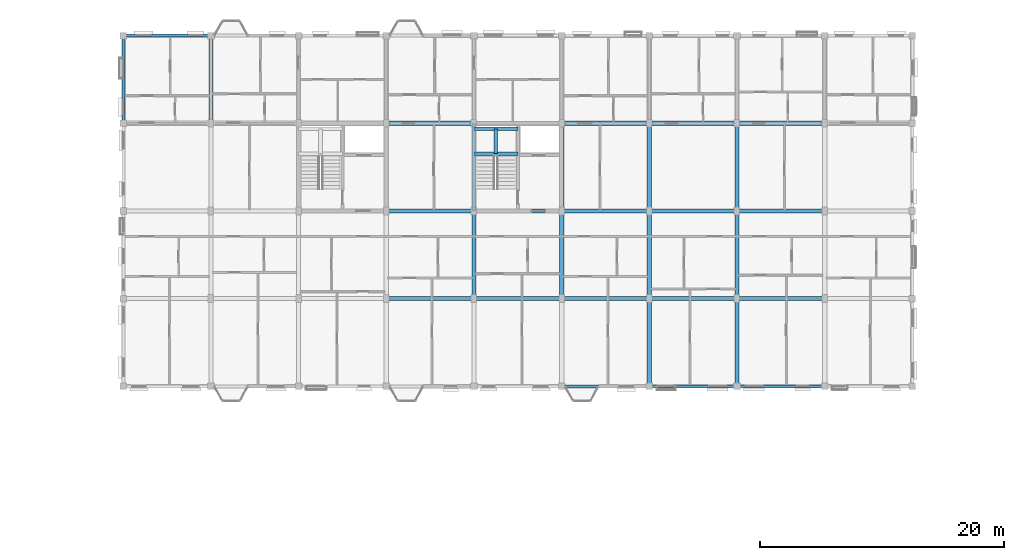
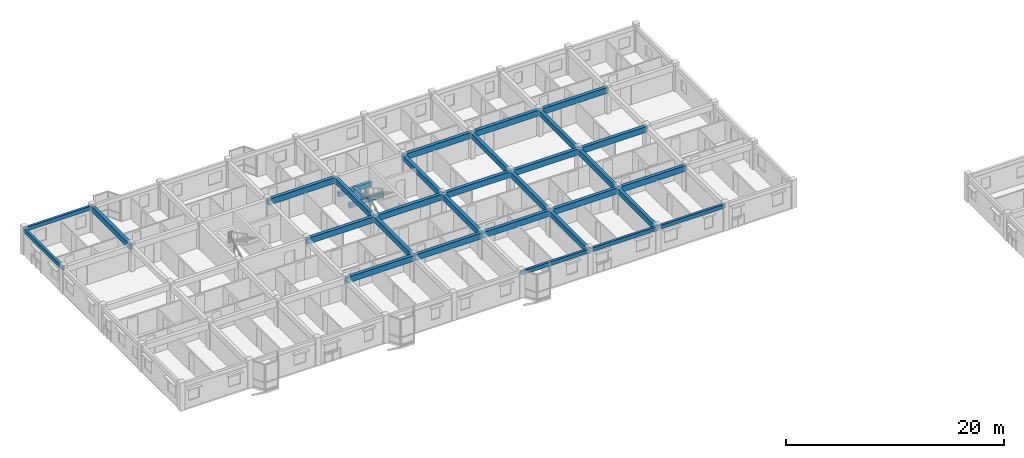
# One storey, part 41 of 79: 33 beams.
"""IFC4 building model written with IfcOpenShell, lengths in metres."""

from ifc_helpers import new_model, si_unit, direction, frame, origin, origin_2d, place, context, subcontext, project, spatial, rectangle, extrude, material, material_profile, profile_set, type_object, element, save


model = new_model("IFC4")

# Units and contexts
model_context = context("Model", 3, precision=1e-05, world=origin(), true_north=direction((0.0, 1.0)))
body_context = subcontext(model_context, "Body", "Model", "MODEL_VIEW")
ifc_project = project(units=[si_unit("LENGTHUNIT", "METRE"), si_unit("AREAUNIT", "SQUARE_METRE"), si_unit("VOLUMEUNIT", "CUBIC_METRE"), si_unit("PLANEANGLEUNIT", "RADIAN"), si_unit("MASSUNIT", "GRAM", prefix="KILO"), si_unit("THERMODYNAMICTEMPERATUREUNIT", "KELVIN"), si_unit("POWERUNIT", "WATT")], contexts=[model_context])

# Site, building, storey
site_placement = place(None, origin())
site = spatial("IfcSite", under=ifc_project, at=site_placement, CompositionType="ELEMENT")
building_placement = place(site_placement, origin())
building = spatial("IfcBuilding", under=site, at=building_placement, Name="Tavuni Mirador Residences", CompositionType="ELEMENT")
storey_placement = place(building_placement, frame((0.0, 0.0, 13.949951171875)))
storey = spatial("IfcBuildingStorey", under=building, at=storey_placement, Name="L04", CompositionType="ELEMENT", Elevation=13.949951171875)

# Beams
ifc_material = material(Name="Precast concrete C40/50", Category="concrete")
ifc_material_profile_1 = material_profile(ifc_material, rectangle(XDim=0.300048828125, YDim=0.5, at=origin_2d()), Name="PC 300x500", Category="concrete")
ifc_profile_set_1 = profile_set([ifc_material_profile_1], Name="Precast concrete C40/50")
beam_type_1 = type_object("IfcBeamType", Name="BT-B500", PredefinedType="BEAM", material=ifc_profile_set_1)
for number, where, z_axis, x_axis, name in (
    (1, (39.60009765625, 163.10009765625, 1.14501953125), (1.0, 0.0, 0.0), (0.0, 1.0, 0.0), "HLB1-C6-L04"),
    (2, (39.60009765625, 165.14990234375, 1.14501953125), (1.0, 0.0, 0.0), (0.0, 1.0, 0.0), "HLB2-C6-L04"),
):
    element("IfcBeam", number, at=place(storey_placement, frame(where, z_axis=z_axis, x_axis=x_axis)), inside=storey, type_object=beam_type_1, Name=name, PredefinedType="BEAM", context=body_context, shape_type="SweptSolid", body=[
        extrude(rectangle(XDim=0.300048828125, YDim=0.5, at=origin_2d()), origin(), (0.0, 0.0, 1.0), 3.599853515625),
    ])
beam_1_placement = place(storey_placement, frame((41.39990234375, 163.10009765625, 1.14501953125), z_axis=(0.0, 1.0, 0.0), x_axis=(-1.0, 0.0, 0.0)))
element("IfcBeam", 3, at=beam_1_placement, inside=storey, type_object=beam_type_1, Name="HLB3-C6-L04", PredefinedType="BEAM", context=body_context, shape_type="SweptSolid", body=[
    extrude(rectangle(XDim=0.300048828125, YDim=0.5, at=origin_2d()), origin(), (0.0, 0.0, 1.0), 2.0498046875),
])
ifc_material_profile_2 = material_profile(ifc_material, rectangle(XDim=0.35009765625, YDim=0.60009765625, at=origin_2d()), Name="PC 350x600", Category="concrete")
ifc_profile_set_2 = profile_set([ifc_material_profile_2], Name="Precast concrete C40/50")
beam_type_2 = type_object("IfcBeamType", Name="BT-B600", PredefinedType="BEAM", material=ifc_profile_set_2)
for number, where, z_axis, x_axis, name in (
    (4, (18.0, 165.60009765625, 2.5849609375), (0.0, 1.0, 0.0), (-1.0, 0.0, 0.0), "BMY-BLK-C-L04-01-03"),
    (5, (39.60009765625, 151.199951171875, 2.5849609375), (0.0, 1.0, 0.0), (-1.0, 0.0, 0.0), "BMY-BLK-C-L04-04-01"),
):
    element("IfcBeam", number, at=place(storey_placement, frame(where, z_axis=z_axis, x_axis=x_axis)), inside=storey, type_object=beam_type_2, Name=name, PredefinedType="BEAM", context=body_context, shape_type="SweptSolid", body=[
        extrude(rectangle(XDim=0.35009765625, YDim=0.60009765625, at=origin_2d()), origin(), (0.0, 0.0, 1.0), 7.199951171875),
    ])
beam_2_placement = place(storey_placement, frame((39.60009765625, 158.39990234375, 2.5849609375), z_axis=(0.0, 1.0, 0.0), x_axis=(-1.0, 0.0, 0.0)))
element("IfcBeam", 6, at=beam_2_placement, inside=storey, type_object=beam_type_2, Name="BMY-BLK-C-L04-04-02", PredefinedType="BEAM", context=body_context, shape_type="SweptSolid", body=[
    extrude(rectangle(XDim=0.35009765625, YDim=0.60009765625, at=origin_2d()), origin(), (0.0, 0.0, 1.0), 7.2001953125),
])
beam_3_placement = place(storey_placement, frame((46.800048828125, 151.199951171875, 2.5849609375), z_axis=(0.0, 1.0, 0.0), x_axis=(-1.0, 0.0, 0.0)))
element("IfcBeam", 7, at=beam_3_placement, inside=storey, type_object=beam_type_2, Name="BMY-BLK-C-L04-05-01", PredefinedType="BEAM", context=body_context, shape_type="SweptSolid", body=[
    extrude(rectangle(XDim=0.35009765625, YDim=0.60009765625, at=origin_2d()), origin(), (0.0, 0.0, 1.0), 7.199951171875),
])
beam_4_placement = place(storey_placement, frame((46.800048828125, 158.39990234375, 2.5849609375), z_axis=(0.0, 1.0, 0.0), x_axis=(-1.0, 0.0, 0.0)))
element("IfcBeam", 8, at=beam_4_placement, inside=storey, type_object=beam_type_2, Name="BMY-BLK-C-L04-05-02", PredefinedType="BEAM", context=body_context, shape_type="SweptSolid", body=[
    extrude(rectangle(XDim=0.35009765625, YDim=0.60009765625, at=origin_2d()), origin(), (0.0, 0.0, 1.0), 7.2001953125),
])
for number, where, z_axis, x_axis, name in (
    (9, (54.0, 144.0, 2.5849609375), (0.0, 1.0, 0.0), (-1.0, 0.0, 0.0), "BMY-BLK-C-L04-06-00"),
    (10, (54.0, 151.199951171875, 2.5849609375), (0.0, 1.0, 0.0), (-1.0, 0.0, 0.0), "BMY-BLK-C-L04-06-01"),
):
    element("IfcBeam", number, at=place(storey_placement, frame(where, z_axis=z_axis, x_axis=x_axis)), inside=storey, type_object=beam_type_2, Name=name, PredefinedType="BEAM", context=body_context, shape_type="SweptSolid", body=[
        extrude(rectangle(XDim=0.35009765625, YDim=0.60009765625, at=origin_2d()), origin(), (0.0, 0.0, 1.0), 7.199951171875),
    ])
beam_5_placement = place(storey_placement, frame((54.0, 158.39990234375, 2.5849609375), z_axis=(0.0, 1.0, 0.0), x_axis=(-1.0, 0.0, 0.0)))
element("IfcBeam", 11, at=beam_5_placement, inside=storey, type_object=beam_type_2, Name="BMY-BLK-C-L04-06-02", PredefinedType="BEAM", context=body_context, shape_type="SweptSolid", body=[
    extrude(rectangle(XDim=0.35009765625, YDim=0.60009765625, at=origin_2d()), origin(), (0.0, 0.0, 1.0), 7.2001953125),
])
for number, where, z_axis, x_axis, name in (
    (12, (61.199951171875, 144.0, 2.5849609375), (0.0, 1.0, 0.0), (-1.0, 0.0, 0.0), "BMY-BLK-C-L04-07-00"),
    (13, (61.199951171875, 151.199951171875, 2.5849609375), (0.0, 1.0, 0.0), (-1.0, 0.0, 0.0), "BMY-BLK-C-L04-07-01"),
):
    element("IfcBeam", number, at=place(storey_placement, frame(where, z_axis=z_axis, x_axis=x_axis)), inside=storey, type_object=beam_type_2, Name=name, PredefinedType="BEAM", context=body_context, shape_type="SweptSolid", body=[
        extrude(rectangle(XDim=0.35009765625, YDim=0.60009765625, at=origin_2d()), origin(), (0.0, 0.0, 1.0), 7.199951171875),
    ])
beam_6_placement = place(storey_placement, frame((61.199951171875, 158.39990234375, 2.5849609375), z_axis=(0.0, 1.0, 0.0), x_axis=(-1.0, 0.0, 0.0)))
element("IfcBeam", 14, at=beam_6_placement, inside=storey, type_object=beam_type_2, Name="BMY-BLK-C-L04-07-02", PredefinedType="BEAM", context=body_context, shape_type="SweptSolid", body=[
    extrude(rectangle(XDim=0.35009765625, YDim=0.60009765625, at=origin_2d()), origin(), (0.0, 0.0, 1.0), 7.2001953125),
])
ifc_material_profile_3 = material_profile(ifc_material, rectangle(XDim=0.35009765625, YDim=0.64990234375, at=origin_2d()), Name="PC 350x650", Category="concrete")
ifc_profile_set_3 = profile_set([ifc_material_profile_3], Name="Precast concrete C40/50")
beam_type_3 = type_object("IfcBeamType", Name="BT-B650", PredefinedType="BEAM", material=ifc_profile_set_3)
beam_7_placement = place(storey_placement, frame((32.39990234375, 151.199951171875, 2.56005859375), z_axis=(1.0, 0.0, 0.0), x_axis=(0.0, 1.0, 0.0)))
element("IfcBeam", 15, at=beam_7_placement, inside=storey, type_object=beam_type_3, Name="BMX-BLK-C-L04-03-01", PredefinedType="BEAM", context=body_context, shape_type="SweptSolid", body=[
    extrude(rectangle(XDim=0.35009765625, YDim=0.64990234375, at=origin_2d()), origin(), (0.0, 0.0, 1.0), 7.2001953125),
])
for number, where, z_axis, x_axis, name in (
    (16, (39.60009765625, 151.199951171875, 2.56005859375), (1.0, 0.0, 0.0), (0.0, 1.0, 0.0), "BMX-BLK-C-L04-04-01"),
    (17, (46.800048828125, 151.199951171875, 2.56005859375), (1.0, 0.0, 0.0), (0.0, 1.0, 0.0), "BMX-BLK-C-L04-05-01"),
    (18, (54.0, 151.199951171875, 2.56005859375), (1.0, 0.0, 0.0), (0.0, 1.0, 0.0), "BMX-BLK-C-L04-06-01"),
    (19, (61.199951171875, 151.199951171875, 2.56005859375), (1.0, 0.0, 0.0), (0.0, 1.0, 0.0), "BMX-BLK-C-L04-07-01"),
):
    element("IfcBeam", number, at=place(storey_placement, frame(where, z_axis=z_axis, x_axis=x_axis)), inside=storey, type_object=beam_type_3, Name=name, PredefinedType="BEAM", context=body_context, shape_type="SweptSolid", body=[
        extrude(rectangle(XDim=0.35009765625, YDim=0.64990234375, at=origin_2d()), origin(), (0.0, 0.0, 1.0), 7.199951171875),
    ])
beam_8_placement = place(storey_placement, frame((32.39990234375, 158.39990234375, 2.56005859375), z_axis=(1.0, 0.0, 0.0), x_axis=(0.0, 1.0, 0.0)))
element("IfcBeam", 20, at=beam_8_placement, inside=storey, type_object=beam_type_3, Name="BMX-BLK-C-L04-03-02", PredefinedType="BEAM", context=body_context, shape_type="SweptSolid", body=[
    extrude(rectangle(XDim=0.35009765625, YDim=0.64990234375, at=origin_2d()), origin(), (0.0, 0.0, 1.0), 7.2001953125),
])
for number, where, z_axis, x_axis, name in (
    (21, (39.60009765625, 158.39990234375, 2.56005859375), (1.0, 0.0, 0.0), (0.0, 1.0, 0.0), "BMX-BLK-C-L04-04-02"),
    (22, (46.800048828125, 158.39990234375, 2.56005859375), (1.0, 0.0, 0.0), (0.0, 1.0, 0.0), "BMX-BLK-C-L04-05-02"),
    (23, (54.0, 158.39990234375, 2.56005859375), (1.0, 0.0, 0.0), (0.0, 1.0, 0.0), "BMX-BLK-C-L04-06-02"),
    (24, (61.199951171875, 158.39990234375, 2.56005859375), (1.0, 0.0, 0.0), (0.0, 1.0, 0.0), "BMX-BLK-C-L04-07-02"),
):
    element("IfcBeam", number, at=place(storey_placement, frame(where, z_axis=z_axis, x_axis=x_axis)), inside=storey, type_object=beam_type_3, Name=name, PredefinedType="BEAM", context=body_context, shape_type="SweptSolid", body=[
        extrude(rectangle(XDim=0.35009765625, YDim=0.64990234375, at=origin_2d()), origin(), (0.0, 0.0, 1.0), 7.199951171875),
    ])
beam_9_placement = place(storey_placement, frame((32.39990234375, 165.60009765625, 2.56005859375), z_axis=(1.0, 0.0, 0.0), x_axis=(0.0, 1.0, 0.0)))
element("IfcBeam", 25, at=beam_9_placement, inside=storey, type_object=beam_type_3, Name="BMX-BLK-C-L04-03-03", PredefinedType="BEAM", context=body_context, shape_type="SweptSolid", body=[
    extrude(rectangle(XDim=0.35009765625, YDim=0.64990234375, at=origin_2d()), origin(), (0.0, 0.0, 1.0), 7.2001953125),
])
for number, where, z_axis, x_axis, name in (
    (26, (46.800048828125, 165.60009765625, 2.56005859375), (1.0, 0.0, 0.0), (0.0, 1.0, 0.0), "BMX-BLK-C-L04-05-03"),
    (27, (54.0, 165.60009765625, 2.56005859375), (1.0, 0.0, 0.0), (0.0, 1.0, 0.0), "BMX-BLK-C-L04-06-03"),
    (28, (61.199951171875, 165.60009765625, 2.56005859375), (1.0, 0.0, 0.0), (0.0, 1.0, 0.0), "BMX-BLK-C-L04-07-03"),
):
    element("IfcBeam", number, at=place(storey_placement, frame(where, z_axis=z_axis, x_axis=x_axis)), inside=storey, type_object=beam_type_3, Name=name, PredefinedType="BEAM", context=body_context, shape_type="SweptSolid", body=[
        extrude(rectangle(XDim=0.35009765625, YDim=0.64990234375, at=origin_2d()), origin(), (0.0, 0.0, 1.0), 7.199951171875),
    ])
ifc_material_profile_4 = material_profile(ifc_material, rectangle(XDim=0.25, YDim=0.419921875, at=origin_2d()), Name="PC 250x420", Category="concrete")
ifc_profile_set_4 = profile_set([ifc_material_profile_4], Name="Precast concrete C40/50")
beam_type_4 = type_object("IfcBeamType", Name="BT-SP420", PredefinedType="SPANDREL", material=ifc_profile_set_4)
for number, where, z_axis, x_axis, name in (
    (29, (46.800048828125, 144.0, 2.675048828125), (1.0, 0.0, 0.0), (0.0, 1.0, 0.0), "BMX-BLK-C-L04-05-00"),
    (30, (54.0, 144.0, 2.675048828125), (1.0, 0.0, 0.0), (0.0, 1.0, 0.0), "BMX-BLK-C-L04-06-00"),
    (31, (61.199951171875, 144.0, 2.675048828125), (1.0, 0.0, 0.0), (0.0, 1.0, 0.0), "BMX-BLK-C-L04-07-00"),
    (32, (10.800048828125, 172.800048828125, 2.675048828125), (1.0, 0.0, 0.0), (0.0, 1.0, 0.0), "BMX-BLK-C-L04-00-04"),
    (33, (10.800048828125, 165.60009765625, 2.675048828125), (0.0, 1.0, 0.0), (-1.0, 0.0, 0.0), "BMY-BLK-C-L04-00-03"),
):
    element("IfcBeam", number, at=place(storey_placement, frame(where, z_axis=z_axis, x_axis=x_axis)), inside=storey, type_object=beam_type_4, Name=name, PredefinedType="SPANDREL", context=body_context, shape_type="SweptSolid", body=[
        extrude(rectangle(XDim=0.25, YDim=0.419921875, at=origin_2d()), origin(), (0.0, 0.0, 1.0), 7.199951171875),
    ])

save(model, "model.ifc")
